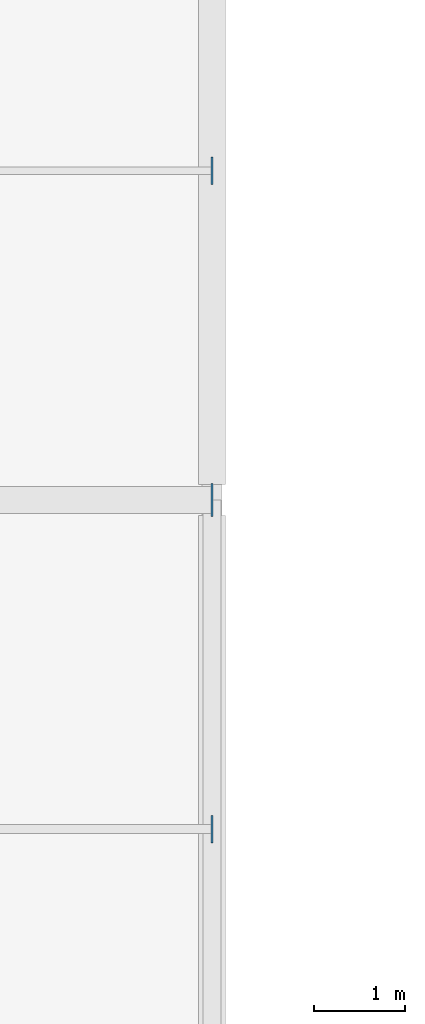
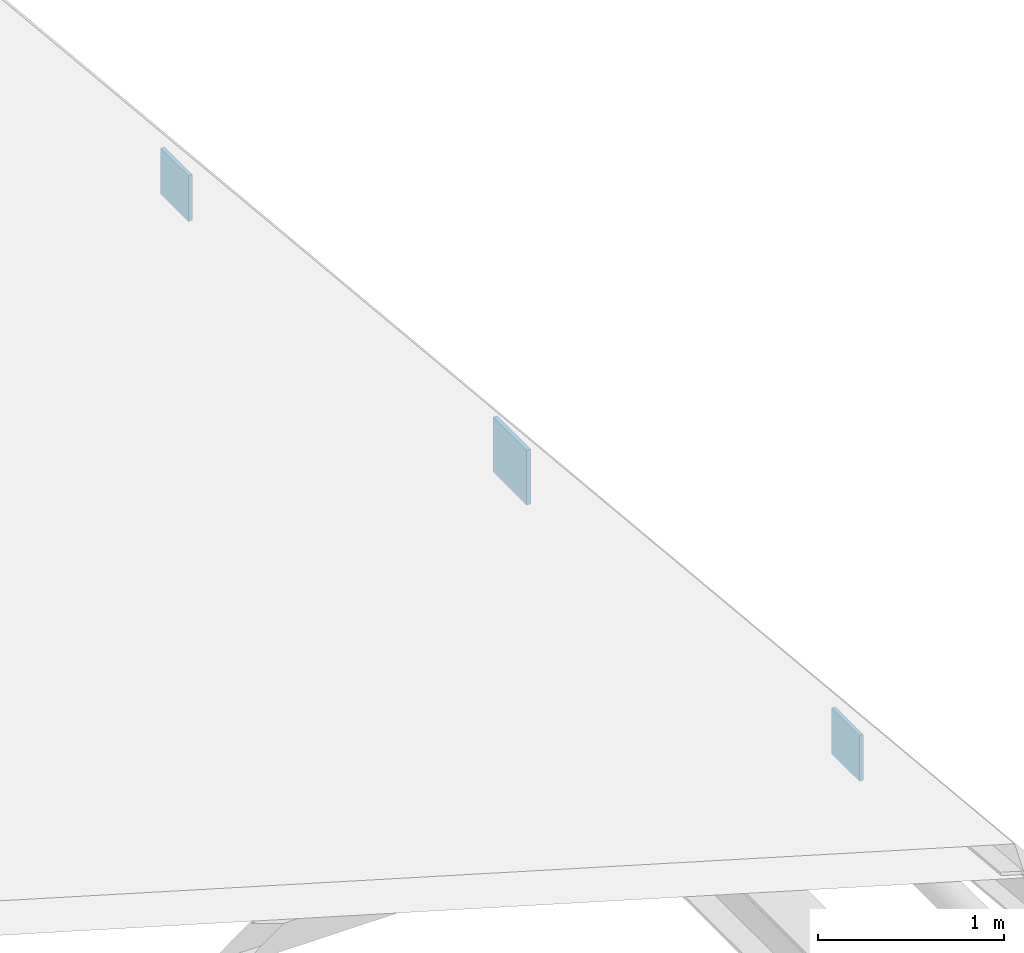
# One storey, part 88 of 110: 3 plates.
"""IFC4 building model written with IfcOpenShell, lengths in metres."""

from ifc_helpers import new_model, si_unit, direction, frame, origin, origin_2d, place, context, subcontext, project, spatial, rectangle, extrude, material, layer, layer_set, type_object, element, save


model = new_model("IFC4")

# Units and contexts
model_context = context("Model", 3, precision=1e-05, world=origin(), true_north=direction((0.0, 1.0)))
body_context = subcontext(model_context, "Body", "Model", "MODEL_VIEW")
ifc_project = project(units=[si_unit("LENGTHUNIT", "METRE"), si_unit("AREAUNIT", "SQUARE_METRE"), si_unit("VOLUMEUNIT", "CUBIC_METRE"), si_unit("PLANEANGLEUNIT", "RADIAN"), si_unit("MASSUNIT", "GRAM", prefix="KILO")], contexts=[model_context])

# Site, building, storey
site_placement = place(None, origin())
site = spatial("IfcSite", under=ifc_project, at=site_placement, CompositionType="ELEMENT")
building_placement = place(site_placement, origin())
building = spatial("IfcBuilding", under=site, at=building_placement, Name="Tamarisk Ironworks Central Station", CompositionType="ELEMENT")
storey_placement = place(building_placement, frame((0.0, 0.0, 17.39990234375)))
storey = spatial("IfcBuildingStorey", under=building, at=storey_placement, Name="L03", CompositionType="ELEMENT", Elevation=17.39990234375)

# Plates
ifc_material_1 = material(Name="Painted structural steel S355J2", Category="steel")
ifc_layer_1 = layer(ifc_material_1, 0.01611328125)
ifc_layer_set_1 = layer_set([ifc_layer_1], Name="Painted structural steel S355J2")
plate_type_1 = type_object("IfcPlateType", Name="PL-EC16", PredefinedType="SHEET", material=ifc_layer_set_1)
for number, where, z_axis, x_axis, name in (
    (1, (36.0, 108.0, 1.1552734375), (0.0, 0.0, 1.0), (1.0, 0.0, 0.0), "Hollow section welded end-cap plate 23"),
    (2, (36.0, 115.199951171875, 0.455078125), (0.0, 0.0, 1.0), (1.0, 0.0, 0.0), "Hollow section welded end-cap plate 27"),
):
    element("IfcPlate", number, at=place(storey_placement, frame(where, z_axis=z_axis, x_axis=x_axis)), inside=storey, type_object=plate_type_1, Name=name, PredefinedType="SHEET", context=body_context, shape_type="SweptSolid", body=[
        extrude(rectangle(XDim=0.02392578125, YDim=0.300048828125, at=origin_2d()), origin(), (0.0, 0.0, 1.0), 0.300048828125),
    ])
ifc_material_2 = material(Name="Structural steel S355J2H", Category="steel")
ifc_layer_2 = layer(ifc_material_2, 0.02587890625)
ifc_layer_set_2 = layer_set([ifc_layer_2], Name="Structural steel S355J2H")
plate_type_2 = type_object("IfcPlateType", Name="PL-ND26", PredefinedType="SHEET", material=ifc_layer_set_2)
plate_placement = place(storey_placement, frame((36.0, 111.60009765625, 0.7998046875), z_axis=(0.0, 0.0, 1.0), x_axis=(1.0, 0.0, 0.0)))
element("IfcPlate", 3, at=plate_placement, inside=storey, type_object=plate_type_2, Name="Pavilion collar tie gusset plate 36-111", PredefinedType="SHEET", context=body_context, shape_type="SweptSolid", body=[
    extrude(rectangle(XDim=0.02587890625, YDim=0.360107421875, at=origin_2d()), origin(), (0.0, 0.0, 1.0), 0.360107421875),
])

save(model, "model.ifc")
